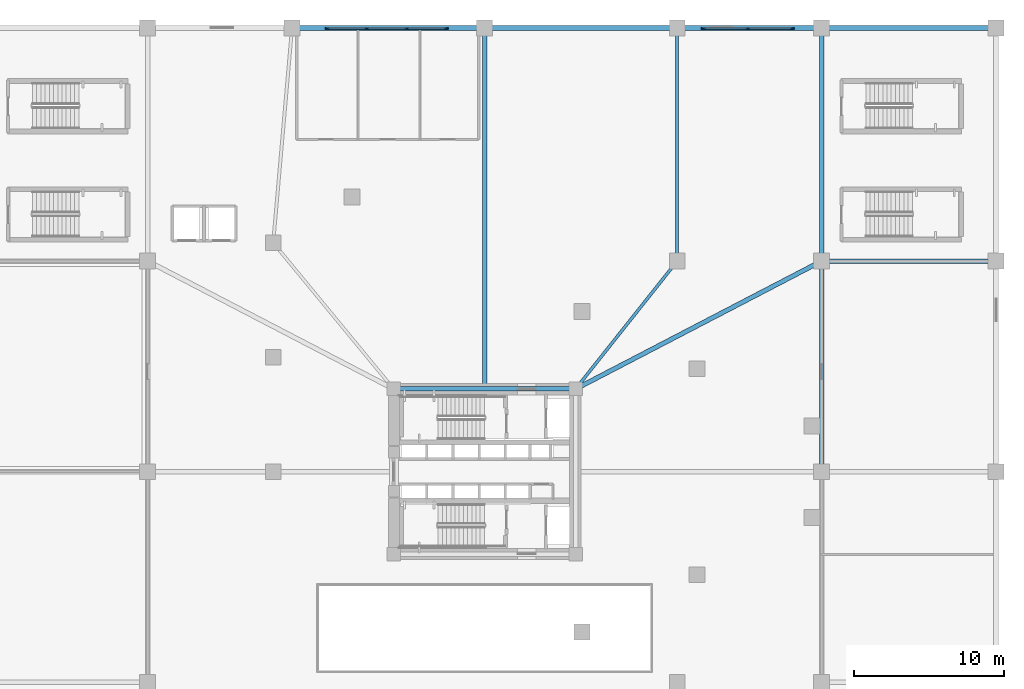
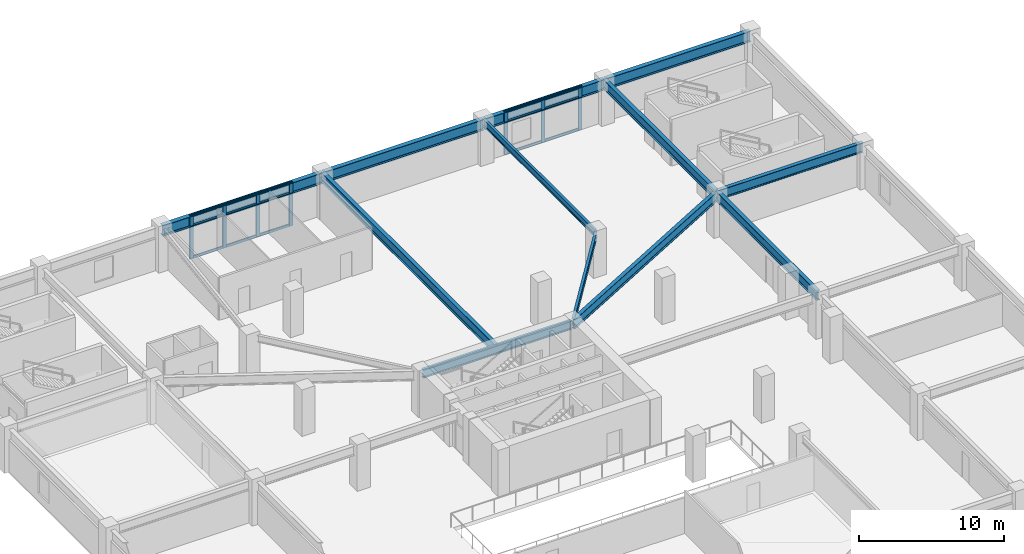
# One storey, part 2 of 15: 22 members, 12 beams, 2 elements without a shape of their own.
"""IFC4 building model written with IfcOpenShell, lengths in metres."""

from ifc_helpers import new_model, si_unit, direction, frame, origin, origin_2d, place, context, subcontext, project, spatial, rectangle, i_section, extrude, source, transform, mapped, material, layer, layer_set, material_profile, profile_set, type_object, element, aggregate, save


model = new_model("IFC4")

# Units and contexts
model_context = context("Model", 3, precision=1e-05, world=origin(), true_north=direction((0.0, 1.0)))
body_context = subcontext(model_context, "Body", "Model", "MODEL_VIEW")
ifc_project = project(units=[si_unit("LENGTHUNIT", "METRE"), si_unit("AREAUNIT", "SQUARE_METRE"), si_unit("VOLUMEUNIT", "CUBIC_METRE"), si_unit("PLANEANGLEUNIT", "RADIAN"), si_unit("MASSUNIT", "GRAM", prefix="KILO")], contexts=[model_context])

# Site, building, storey
site_placement = place(None, origin())
site = spatial("IfcSite", under=ifc_project, at=site_placement, CompositionType="ELEMENT")
building_placement = place(site_placement, origin())
building = spatial("IfcBuilding", under=site, at=building_placement, Name="Yunling Apex Tower", CompositionType="ELEMENT")
storey_placement = place(building_placement, frame((0.0, 0.0, 8.39990234375)))
storey = spatial("IfcBuildingStorey", under=building, at=storey_placement, Name="L03", CompositionType="ELEMENT", Elevation=8.39990234375)

# Beams
ifc_material_1 = material(Name="Steel Q355B", Category="steel")
ifc_material_profile_1 = material_profile(ifc_material_1, i_section(OverallWidth=0.300048828125, OverallDepth=0.699951171875, WebThickness=0.012939453125, FlangeThickness=0.02392578125, FilletRadius=0.02587890625, at=origin_2d()))
ifc_profile_set_1 = profile_set([ifc_material_profile_1], Name="Steel Q355B")
beam_type_1 = type_object("IfcBeamType", Name="BG-PRI-3", PredefinedType="USERDEFINED", material=ifc_profile_set_1)
shared_shape_1 = source(origin(), body_context, "Body", "SweptSolid", [
    extrude(i_section(OverallWidth=0.300048828125, OverallDepth=0.699951171875, WebThickness=0.012939453125, FlangeThickness=0.02392578125, FilletRadius=0.02587890625, at=origin_2d()), origin(), (0.0, 0.0, 1.0), 11.7998046875),
])
beam_1_placement = place(storey_placement, frame((5.89990234375, 5.5, 3.239990234375), z_axis=(-1.0, 0.0, 0.0), x_axis=(0.0, -1.0, 0.0)))
element("IfcBeam", 1, at=beam_1_placement, inside=storey, type_object=beam_type_1, Name="L03 Core Ring Tie Beam 3", ObjectType="GIRDER", PredefinedType="USERDEFINED", context=body_context, shape_type="MappedRepresentation", body=[
    mapped(shared_shape_1, transform((0.0, 0.0, 0.0), scale=1.0)),
])
ifc_material_profile_2 = material_profile(ifc_material_1, i_section(OverallWidth=0.35009765625, OverallDepth=0.89990234375, WebThickness=0.01806640625, FlangeThickness=0.028076171875, FilletRadius=0.02392578125, at=origin_2d()))
ifc_profile_set_2 = profile_set([ifc_material_profile_2], Name="Steel Q355B")
beam_type_2 = type_object("IfcBeamType", Name="BG-PRI-1", PredefinedType="USERDEFINED", material=ifc_profile_set_2)
shared_shape_2 = source(origin(), body_context, "Body", "SweptSolid", [
    extrude(i_section(OverallWidth=0.35009765625, OverallDepth=0.89990234375, WebThickness=0.01806640625, FlangeThickness=0.028076171875, FilletRadius=0.02392578125, at=origin_2d()), origin(), (0.0, 0.0, 1.0), 11.52001953125),
])
beam_2_placement = place(storey_placement, frame((22.43994140625, 29.5, 3.14013671875), z_axis=(1.0, 0.0, 0.0), x_axis=(0.0, 1.0, 0.0)))
element("IfcBeam", 2, at=beam_2_placement, inside=storey, type_object=beam_type_2, Name="L03 Podium Edge Girder 12", ObjectType="GIRDER", PredefinedType="USERDEFINED", context=body_context, shape_type="MappedRepresentation", body=[
    mapped(shared_shape_2, transform((0.0, 0.0, 0.0), scale=1.0)),
])
shared_shape_3 = source(origin(), body_context, "Body", "SweptSolid", [
    extrude(i_section(OverallWidth=0.35009765625, OverallDepth=0.89990234375, WebThickness=0.01806640625, FlangeThickness=0.028076171875, FilletRadius=0.02392578125, at=origin_2d()), origin(), (0.0, 0.0, 1.0), 9.52001953125),
])
beam_3_placement = place(storey_placement, frame((12.840087890625, 29.5, 3.14013671875), z_axis=(1.0, 0.0, 0.0), x_axis=(0.0, 1.0, 0.0)))
element("IfcBeam", 3, at=beam_3_placement, inside=storey, type_object=beam_type_2, Name="L03 Podium Edge Girder 11", ObjectType="GIRDER", PredefinedType="USERDEFINED", context=body_context, shape_type="MappedRepresentation", body=[
    mapped(shared_shape_3, transform((0.0, 0.0, 0.0), scale=1.0)),
])
shared_shape_4 = source(origin(), body_context, "Body", "SweptSolid", [
    extrude(i_section(OverallWidth=0.35009765625, OverallDepth=0.89990234375, WebThickness=0.01806640625, FlangeThickness=0.028076171875, FilletRadius=0.02392578125, at=origin_2d()), origin(), (0.0, 0.0, 1.0), 12.719970703125),
])
for number, where, z_axis, x_axis, name in (
    (4, (-12.760009765625, 29.5, 3.14013671875), (1.0, 0.0, 0.0), (0.0, 1.0, 0.0), "L03 Podium Edge Girder 9"),
    (5, (0.0400390625, 29.5, 3.14013671875), (1.0, 0.0, 0.0), (0.0, 1.0, 0.0), "L03 Podium Edge Girder 10"),
):
    element("IfcBeam", number, at=place(storey_placement, frame(where, z_axis=z_axis, x_axis=x_axis)), inside=storey, type_object=beam_type_2, Name=name, ObjectType="GIRDER", PredefinedType="USERDEFINED", context=body_context, shape_type="MappedRepresentation", body=[
        mapped(shared_shape_4, transform((0.0, 0.0, 0.0), scale=1.0)),
    ])
ifc_material_profile_3 = material_profile(ifc_material_1, i_section(OverallWidth=0.300048828125, OverallDepth=0.800048828125, WebThickness=0.013916015625, FlangeThickness=0.02587890625, FilletRadius=0.028076171875, at=origin_2d()))
ifc_profile_set_3 = profile_set([ifc_material_profile_3], Name="Steel Q355B")
beam_type_3 = type_object("IfcBeamType", Name="BG-PRI-2", PredefinedType="USERDEFINED", material=ifc_profile_set_3)
shared_shape_5 = source(origin(), body_context, "Body", "SweptSolid", [
    extrude(i_section(OverallWidth=0.300048828125, OverallDepth=0.800048828125, WebThickness=0.013916015625, FlangeThickness=0.02587890625, FilletRadius=0.028076171875, at=origin_2d()), origin(), (0.0, 0.0, 1.0), 11.52001953125),
])
beam_4_placement = place(storey_placement, frame((22.43994140625, 14.0, 3.190185546875), z_axis=(1.0, 0.0, 0.0), x_axis=(0.0, 1.0, 0.0)))
element("IfcBeam", 6, at=beam_4_placement, inside=storey, type_object=beam_type_3, Name="L03 Podium Primary Girder 4", ObjectType="GIRDER", PredefinedType="USERDEFINED", context=body_context, shape_type="MappedRepresentation", body=[
    mapped(shared_shape_5, transform((0.0, 0.0, 0.0), scale=1.0)),
])
shared_shape_6 = source(origin(), body_context, "Body", "SweptSolid", [
    extrude(i_section(OverallWidth=0.300048828125, OverallDepth=0.800048828125, WebThickness=0.013916015625, FlangeThickness=0.02587890625, FilletRadius=0.028076171875, at=origin_2d()), origin(), (0.0, 0.0, 1.0), 18.347412109375),
])
beam_5_placement = place(storey_placement, frame((6.08544921875, 5.5185546875, 3.190185546875), z_axis=(0.887266251523, 0.461257627481, 0.0), x_axis=(-0.461257627481, 0.887266251523, 0.0)))
element("IfcBeam", 7, at=beam_5_placement, inside=storey, type_object=beam_type_3, Name="L03 Podium Primary Girder 3", ObjectType="GIRDER", PredefinedType="USERDEFINED", context=body_context, shape_type="MappedRepresentation", body=[
    mapped(shared_shape_6, transform((0.0, 0.0, 0.0), scale=1.0)),
])
shared_shape_7 = source(origin(), body_context, "Body", "SweptSolid", [
    extrude(i_section(OverallWidth=0.300048828125, OverallDepth=0.800048828125, WebThickness=0.013916015625, FlangeThickness=0.02587890625, FilletRadius=0.028076171875, at=origin_2d()), origin(), (0.0, 0.0, 1.0), 15.419921875),
])
beam_6_placement = place(storey_placement, frame((22.39990234375, 29.4599609375, 3.190185546875), z_axis=(0.0, -1.0, 0.0), x_axis=(1.0, 0.0, 0.0)))
element("IfcBeam", 8, at=beam_6_placement, inside=storey, type_object=beam_type_3, Name="L03 Podium Primary Girder 17", ObjectType="GIRDER", PredefinedType="USERDEFINED", context=body_context, shape_type="MappedRepresentation", body=[
    mapped(shared_shape_7, transform((0.0, 0.0, 0.0), scale=1.0)),
])
shared_shape_8 = source(origin(), body_context, "Body", "SweptSolid", [
    extrude(i_section(OverallWidth=0.300048828125, OverallDepth=0.800048828125, WebThickness=0.013916015625, FlangeThickness=0.02587890625, FilletRadius=0.028076171875, at=origin_2d()), origin(), (0.0, 0.0, 1.0), 13.919921875),
])
beam_7_placement = place(storey_placement, frame((22.39990234375, 13.9599609375, 3.190185546875), z_axis=(0.0, -1.0, 0.0), x_axis=(1.0, 0.0, 0.0)))
element("IfcBeam", 9, at=beam_7_placement, inside=storey, type_object=beam_type_3, Name="L03 Podium Primary Girder 18", ObjectType="GIRDER", PredefinedType="USERDEFINED", context=body_context, shape_type="MappedRepresentation", body=[
    mapped(shared_shape_8, transform((0.0, 0.0, 0.0), scale=1.0)),
])
shared_shape_9 = source(origin(), body_context, "Body", "SweptSolid", [
    extrude(i_section(OverallWidth=0.300048828125, OverallDepth=0.800048828125, WebThickness=0.013916015625, FlangeThickness=0.02587890625, FilletRadius=0.028076171875, at=origin_2d()), origin(), (0.0, 0.0, 1.0), 23.869873046875),
])
beam_8_placement = place(storey_placement, frame((0.0, 29.4599609375, 3.190185546875), z_axis=(0.0, -1.0, 0.0), x_axis=(1.0, 0.0, 0.0)))
element("IfcBeam", 10, at=beam_8_placement, inside=storey, type_object=beam_type_3, Name="L03 Podium Primary Girder 21", ObjectType="GIRDER", PredefinedType="USERDEFINED", context=body_context, shape_type="MappedRepresentation", body=[
    mapped(shared_shape_9, transform((0.0, 0.0, 0.0), scale=1.0)),
])
ifc_material_profile_4 = material_profile(ifc_material_1, i_section(OverallWidth=0.199951171875, OverallDepth=0.550048828125, WebThickness=0.010009765625, FlangeThickness=0.01611328125, FilletRadius=0.02001953125, at=origin_2d()))
ifc_profile_set_4 = profile_set([ifc_material_profile_4], Name="Steel Q355B")
beam_type_4 = type_object("IfcBeamType", Name="BS-SEC-1", PredefinedType="BEAM", material=ifc_profile_set_4)
shared_shape_10 = source(origin(), body_context, "Body", "SweptSolid", [
    extrude(i_section(OverallWidth=0.199951171875, OverallDepth=0.550048828125, WebThickness=0.010009765625, FlangeThickness=0.01611328125, FilletRadius=0.02001953125, at=origin_2d()), origin(), (0.0, 0.0, 1.0), 15.419921875),
])
beam_9_placement = place(storey_placement, frame((12.800048828125, 29.4599609375, 3.315185546875), z_axis=(0.0, -1.0, 0.0), x_axis=(1.0, 0.0, 0.0)))
element("IfcBeam", 11, at=beam_9_placement, inside=storey, type_object=beam_type_4, Name="L03 Podium Secondary Beam 3", PredefinedType="BEAM", context=body_context, shape_type="MappedRepresentation", body=[
    mapped(shared_shape_10, transform((0.0, 0.0, 0.0), scale=1.0)),
])
shared_shape_11 = source(origin(), body_context, "Body", "SweptSolid", [
    extrude(i_section(OverallWidth=0.199951171875, OverallDepth=0.550048828125, WebThickness=0.010009765625, FlangeThickness=0.01611328125, FilletRadius=0.02001953125, at=origin_2d()), origin(), (0.0, 0.0, 1.0), 10.774169921875),
])
beam_10_placement = place(storey_placement, frame((12.775146484375, 13.96875, 3.315185546875), z_axis=(-0.621872334374, -0.783118637078, 0.0), x_axis=(0.783118637078, -0.621872334374, 0.0)))
element("IfcBeam", 12, at=beam_10_placement, inside=storey, type_object=beam_type_4, Name="L03 Podium Secondary Beam 4", PredefinedType="BEAM", context=body_context, shape_type="MappedRepresentation", body=[
    mapped(shared_shape_11, transform((0.0, 0.0, 0.0), scale=1.0)),
])

# Curtain wall, members
ifc_material_2 = material(Name="Bronze anodised aluminium", Category="aluminium")
ifc_layer = layer(ifc_material_2, 0.280029296875)
ifc_layer_set = layer_set([ifc_layer], Name="Bronze anodised aluminium")
curtain_wall_type = type_object("IfcCurtainWallType", Name="CW-SYS-1", PredefinedType="NOTDEFINED", material=ifc_layer_set)
curtain_wall_1_placement = place(storey_placement, origin())
curtain_wall_1 = element("IfcCurtainWall", 13, at=curtain_wall_1_placement, inside=storey, type_object=curtain_wall_type, Name="CW-POD-L03-1", PredefinedType="NOTDEFINED")
ifc_material_profile_5 = material_profile(ifc_material_2, rectangle(XDim=0.090087890625, YDim=0.215087890625, at=origin_2d()))
ifc_profile_set_5 = profile_set([ifc_material_profile_5], Name="Bronze anodised aluminium")
member_type_1 = type_object("IfcMemberType", Name="CW-TRN-1", PredefinedType="USERDEFINED", material=ifc_profile_set_5)
shared_shape_12 = source(origin(), body_context, "Body", "SweptSolid", [
    extrude(rectangle(XDim=0.090087890625, YDim=0.215087890625, at=origin_2d()), origin(), (0.0, 0.0, 1.0), 2.540771484375),
])
member_1_placement = place(storey_placement, frame((-10.41455078125, 29.449951171875, 0.045166015625), z_axis=(1.0, 0.0, 0.0), x_axis=(0.0, 1.0, 0.0)))
member_1 = element("IfcMember", 14, at=member_1_placement, type_object=member_type_1, Name="CW-SYS-1 transom 1.1", ObjectType="TRANSOM", PredefinedType="USERDEFINED", context=body_context, shape_type="MappedRepresentation", body=[
    mapped(shared_shape_12, transform((0.0, 0.0, 0.0), scale=1.0)),
])
member_2_placement = place(storey_placement, frame((-10.41455078125, 29.449951171875, 2.739990234375), z_axis=(1.0, 0.0, 0.0), x_axis=(0.0, 1.0, 0.0)))
member_2 = element("IfcMember", 15, at=member_2_placement, type_object=member_type_1, Name="CW-SYS-1 transom 1.2", ObjectType="TRANSOM", PredefinedType="USERDEFINED", context=body_context, shape_type="MappedRepresentation", body=[
    mapped(shared_shape_12, transform((0.0, 0.0, 0.0), scale=1.0)),
])
member_3_placement = place(storey_placement, frame((-10.41455078125, 29.449951171875, 3.545166015625), z_axis=(1.0, 0.0, 0.0), x_axis=(0.0, 1.0, 0.0)))
member_3 = element("IfcMember", 16, at=member_3_placement, type_object=member_type_1, Name="CW-SYS-1 transom 1.3", ObjectType="TRANSOM", PredefinedType="USERDEFINED", context=body_context, shape_type="MappedRepresentation", body=[
    mapped(shared_shape_12, transform((0.0, 0.0, 0.0), scale=1.0)),
])
member_4_placement = place(storey_placement, frame((-5.126220703125, 29.449951171875, 0.045166015625), z_axis=(1.0, 0.0, 0.0), x_axis=(0.0, 1.0, 0.0)))
member_4 = element("IfcMember", 17, at=member_4_placement, type_object=member_type_1, Name="CW-SYS-1 transom 3.1", ObjectType="TRANSOM", PredefinedType="USERDEFINED", context=body_context, shape_type="MappedRepresentation", body=[
    mapped(shared_shape_12, transform((0.0, 0.0, 0.0), scale=1.0)),
])
member_5_placement = place(storey_placement, frame((-5.126220703125, 29.449951171875, 2.739990234375), z_axis=(1.0, 0.0, 0.0), x_axis=(0.0, 1.0, 0.0)))
member_5 = element("IfcMember", 18, at=member_5_placement, type_object=member_type_1, Name="CW-SYS-1 transom 3.2", ObjectType="TRANSOM", PredefinedType="USERDEFINED", context=body_context, shape_type="MappedRepresentation", body=[
    mapped(shared_shape_12, transform((0.0, 0.0, 0.0), scale=1.0)),
])
member_6_placement = place(storey_placement, frame((-5.126220703125, 29.449951171875, 3.545166015625), z_axis=(1.0, 0.0, 0.0), x_axis=(0.0, 1.0, 0.0)))
member_6 = element("IfcMember", 19, at=member_6_placement, type_object=member_type_1, Name="CW-SYS-1 transom 3.3", ObjectType="TRANSOM", PredefinedType="USERDEFINED", context=body_context, shape_type="MappedRepresentation", body=[
    mapped(shared_shape_12, transform((0.0, 0.0, 0.0), scale=1.0)),
])
shared_shape_13 = source(origin(), body_context, "Body", "SweptSolid", [
    extrude(rectangle(XDim=0.090087890625, YDim=0.215087890625, at=origin_2d()), origin(), (0.0, 0.0, 1.0), 2.58544921875),
])
member_7_placement = place(storey_placement, frame((-7.792724609375, 29.449951171875, 0.045166015625), z_axis=(1.0, 0.0, 0.0), x_axis=(0.0, 1.0, 0.0)))
member_7 = element("IfcMember", 20, at=member_7_placement, type_object=member_type_1, Name="CW-SYS-1 transom 2.1", ObjectType="TRANSOM", PredefinedType="USERDEFINED", context=body_context, shape_type="MappedRepresentation", body=[
    mapped(shared_shape_13, transform((0.0, 0.0, 0.0), scale=1.0)),
])
member_8_placement = place(storey_placement, frame((-7.792724609375, 29.449951171875, 2.739990234375), z_axis=(1.0, 0.0, 0.0), x_axis=(0.0, 1.0, 0.0)))
member_8 = element("IfcMember", 21, at=member_8_placement, type_object=member_type_1, Name="CW-SYS-1 transom 2.2", ObjectType="TRANSOM", PredefinedType="USERDEFINED", context=body_context, shape_type="MappedRepresentation", body=[
    mapped(shared_shape_13, transform((0.0, 0.0, 0.0), scale=1.0)),
])
member_9_placement = place(storey_placement, frame((-7.792724609375, 29.449951171875, 3.545166015625), z_axis=(1.0, 0.0, 0.0), x_axis=(0.0, 1.0, 0.0)))
member_9 = element("IfcMember", 22, at=member_9_placement, type_object=member_type_1, Name="CW-SYS-1 transom 2.3", ObjectType="TRANSOM", PredefinedType="USERDEFINED", context=body_context, shape_type="MappedRepresentation", body=[
    mapped(shared_shape_13, transform((0.0, 0.0, 0.0), scale=1.0)),
])

curtain_wall_2_placement = place(storey_placement, origin())
curtain_wall_2 = element("IfcCurtainWall", 23, at=curtain_wall_2_placement, inside=storey, type_object=curtain_wall_type, Name="CW-POD-L03-2", PredefinedType="NOTDEFINED")
shared_shape_14 = source(origin(), body_context, "Body", "SweptSolid", [
    extrude(rectangle(XDim=0.090087890625, YDim=0.215087890625, at=origin_2d()), origin(), (0.0, 0.0, 1.0), 2.8740234375),
])
member_10_placement = place(storey_placement, frame((14.58544921875, 29.449951171875, 0.045166015625), z_axis=(1.0, 0.0, 0.0), x_axis=(0.0, 1.0, 0.0)))
member_10 = element("IfcMember", 24, at=member_10_placement, type_object=member_type_1, Name="CW-SYS-1 transom 1.1", ObjectType="TRANSOM", PredefinedType="USERDEFINED", context=body_context, shape_type="MappedRepresentation", body=[
    mapped(shared_shape_14, transform((0.0, 0.0, 0.0), scale=1.0)),
])
member_11_placement = place(storey_placement, frame((14.58544921875, 29.449951171875, 2.739990234375), z_axis=(1.0, 0.0, 0.0), x_axis=(0.0, 1.0, 0.0)))
member_11 = element("IfcMember", 25, at=member_11_placement, type_object=member_type_1, Name="CW-SYS-1 transom 1.2", ObjectType="TRANSOM", PredefinedType="USERDEFINED", context=body_context, shape_type="MappedRepresentation", body=[
    mapped(shared_shape_14, transform((0.0, 0.0, 0.0), scale=1.0)),
])
member_12_placement = place(storey_placement, frame((14.58544921875, 29.449951171875, 3.545166015625), z_axis=(1.0, 0.0, 0.0), x_axis=(0.0, 1.0, 0.0)))
member_12 = element("IfcMember", 26, at=member_12_placement, type_object=member_type_1, Name="CW-SYS-1 transom 1.3", ObjectType="TRANSOM", PredefinedType="USERDEFINED", context=body_context, shape_type="MappedRepresentation", body=[
    mapped(shared_shape_14, transform((0.0, 0.0, 0.0), scale=1.0)),
])
member_13_placement = place(storey_placement, frame((17.54052734375, 29.449951171875, 0.045166015625), z_axis=(1.0, 0.0, 0.0), x_axis=(0.0, 1.0, 0.0)))
member_13 = element("IfcMember", 27, at=member_13_placement, type_object=member_type_1, Name="CW-SYS-1 transom 2.1", ObjectType="TRANSOM", PredefinedType="USERDEFINED", context=body_context, shape_type="MappedRepresentation", body=[
    mapped(shared_shape_14, transform((0.0, 0.0, 0.0), scale=1.0)),
])
member_14_placement = place(storey_placement, frame((17.54052734375, 29.449951171875, 2.739990234375), z_axis=(1.0, 0.0, 0.0), x_axis=(0.0, 1.0, 0.0)))
member_14 = element("IfcMember", 28, at=member_14_placement, type_object=member_type_1, Name="CW-SYS-1 transom 2.2", ObjectType="TRANSOM", PredefinedType="USERDEFINED", context=body_context, shape_type="MappedRepresentation", body=[
    mapped(shared_shape_14, transform((0.0, 0.0, 0.0), scale=1.0)),
])
member_15_placement = place(storey_placement, frame((17.54052734375, 29.449951171875, 3.545166015625), z_axis=(1.0, 0.0, 0.0), x_axis=(0.0, 1.0, 0.0)))
member_15 = element("IfcMember", 29, at=member_15_placement, type_object=member_type_1, Name="CW-SYS-1 transom 2.3", ObjectType="TRANSOM", PredefinedType="USERDEFINED", context=body_context, shape_type="MappedRepresentation", body=[
    mapped(shared_shape_14, transform((0.0, 0.0, 0.0), scale=1.0)),
])

# Member
ifc_material_profile_6 = material_profile(ifc_material_2, rectangle(XDim=0.090087890625, YDim=0.280029296875, at=origin_2d()))
ifc_profile_set_6 = profile_set([ifc_material_profile_6], Name="Bronze anodised aluminium")
member_type_2 = type_object("IfcMemberType", Name="CW-MUL-1", PredefinedType="MULLION", material=ifc_profile_set_6)
shared_shape_15 = source(origin(), body_context, "Body", "SweptSolid", [
    extrude(rectangle(XDim=0.090087890625, YDim=0.280029296875, at=origin_2d()), origin(), (0.0, 0.0, 1.0), 3.68994140625),
])
member_16_placement = place(storey_placement, frame((-10.455078125, 29.449951171875, -0.0498046875), z_axis=(0.0, 0.0, 1.0), x_axis=(0.0, 1.0, 0.0)))
member_16 = element("IfcMember", 30, at=member_16_placement, type_object=member_type_2, Name="CW-SYS-1 mullion 1", PredefinedType="MULLION", context=body_context, shape_type="MappedRepresentation", body=[
    mapped(shared_shape_15, transform((0.0, 0.0, 0.0), scale=1.0)),
])

member_17_placement = place(storey_placement, frame((-7.833251953125, 29.449951171875, -0.0498046875), z_axis=(0.0, 0.0, 1.0), x_axis=(0.0, 1.0, 0.0)))
member_17 = element("IfcMember", 31, at=member_17_placement, type_object=member_type_2, Name="CW-SYS-1 mullion 2", PredefinedType="MULLION", context=body_context, shape_type="MappedRepresentation", body=[
    mapped(shared_shape_15, transform((0.0, 0.0, 0.0), scale=1.0)),
])

member_18_placement = place(storey_placement, frame((-5.166748046875, 29.449951171875, -0.0498046875), z_axis=(0.0, 0.0, 1.0), x_axis=(0.0, 1.0, 0.0)))
member_18 = element("IfcMember", 32, at=member_18_placement, type_object=member_type_2, Name="CW-SYS-1 mullion 3", PredefinedType="MULLION", context=body_context, shape_type="MappedRepresentation", body=[
    mapped(shared_shape_15, transform((0.0, 0.0, 0.0), scale=1.0)),
])

member_19_placement = place(storey_placement, frame((-2.544921875, 29.449951171875, -0.0498046875), z_axis=(0.0, 0.0, 1.0), x_axis=(0.0, 1.0, 0.0)))
member_19 = element("IfcMember", 33, at=member_19_placement, type_object=member_type_2, Name="CW-SYS-1 mullion 4", PredefinedType="MULLION", context=body_context, shape_type="MappedRepresentation", body=[
    mapped(shared_shape_15, transform((0.0, 0.0, 0.0), scale=1.0)),
])

aggregate(curtain_wall_1, [member_16, member_17, member_18, member_19, member_1, member_2, member_3, member_7, member_8, member_9, member_4, member_5, member_6])

member_20_placement = place(storey_placement, frame((14.544921875, 29.449951171875, -0.0498046875), z_axis=(0.0, 0.0, 1.0), x_axis=(0.0, 1.0, 0.0)))
member_20 = element("IfcMember", 34, at=member_20_placement, type_object=member_type_2, Name="CW-SYS-1 mullion 1", PredefinedType="MULLION", context=body_context, shape_type="MappedRepresentation", body=[
    mapped(shared_shape_15, transform((0.0, 0.0, 0.0), scale=1.0)),
])

member_21_placement = place(storey_placement, frame((17.5, 29.449951171875, -0.0498046875), z_axis=(0.0, 0.0, 1.0), x_axis=(0.0, 1.0, 0.0)))
member_21 = element("IfcMember", 35, at=member_21_placement, type_object=member_type_2, Name="CW-SYS-1 mullion 2", PredefinedType="MULLION", context=body_context, shape_type="MappedRepresentation", body=[
    mapped(shared_shape_15, transform((0.0, 0.0, 0.0), scale=1.0)),
])

member_22_placement = place(storey_placement, frame((20.455078125, 29.449951171875, -0.0498046875), z_axis=(0.0, 0.0, 1.0), x_axis=(0.0, 1.0, 0.0)))
member_22 = element("IfcMember", 36, at=member_22_placement, type_object=member_type_2, Name="CW-SYS-1 mullion 3", PredefinedType="MULLION", context=body_context, shape_type="MappedRepresentation", body=[
    mapped(shared_shape_15, transform((0.0, 0.0, 0.0), scale=1.0)),
])

aggregate(curtain_wall_2, [member_20, member_21, member_22, member_10, member_11, member_12, member_13, member_14, member_15])

save(model, "model.ifc")
